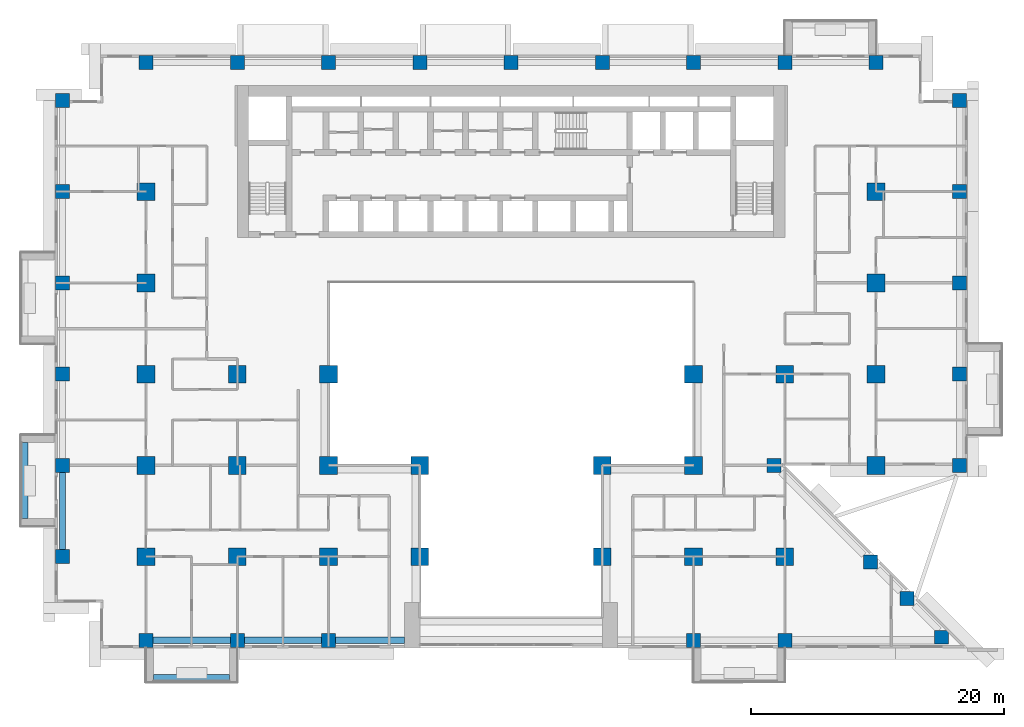
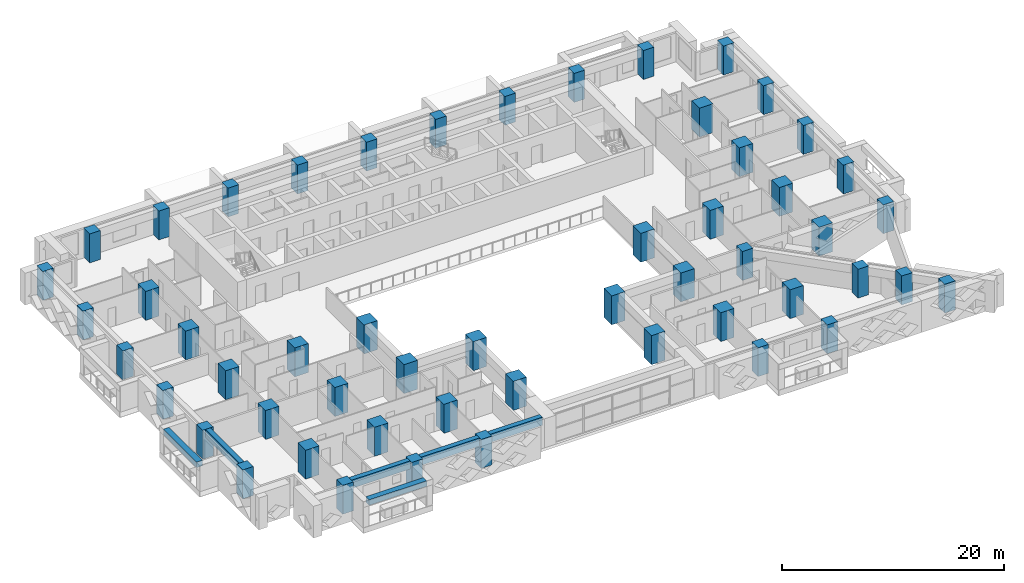
# One storey, part 1 of 16: 53 columns, 6 beams.
"""IFC4 building model written with IfcOpenShell, lengths in metres."""

from ifc_helpers import new_model, si_unit, direction, frame, origin, origin_2d, place, context, subcontext, project, spatial, rectangle, extrude, source, transform, mapped, material, material_profile, profile_set, type_object, element, save


model = new_model("IFC4")

# Units and contexts
model_context = context("Model", 3, precision=1e-05, world=origin(), true_north=direction((0.0, 1.0)))
body_context = subcontext(model_context, "Body", "Model", "MODEL_VIEW")
ifc_project = project(units=[si_unit("LENGTHUNIT", "METRE"), si_unit("AREAUNIT", "SQUARE_METRE"), si_unit("VOLUMEUNIT", "CUBIC_METRE"), si_unit("PLANEANGLEUNIT", "RADIAN"), si_unit("MASSUNIT", "GRAM", prefix="KILO")], contexts=[model_context])

# Site, building, storey
site_placement = place(None, origin())
site = spatial("IfcSite", under=ifc_project, at=site_placement, CompositionType="ELEMENT")
building_placement = place(site_placement, origin())
building = spatial("IfcBuilding", under=site, at=building_placement, Name="Saffron Iwan Residences", CompositionType="ELEMENT")
storey_placement = place(building_placement, frame((0.0, 0.0, 44.5)))
storey = spatial("IfcBuildingStorey", under=building, at=storey_placement, Name="L10", CompositionType="ELEMENT", Elevation=44.5)

# Columns
ifc_material_1 = material(Name="Concrete C60/75", Category="concrete")
ifc_material_profile_1 = material_profile(ifc_material_1, rectangle(XDim=1.10009765625, YDim=1.10009765625, at=origin_2d()), Name="RC 1100x1100")
ifc_profile_set_1 = profile_set([ifc_material_profile_1], Name="Concrete C60/75")
column_type_1 = type_object("IfcColumnType", Name="COL RC 1100x1100 C60/75 3180 HIGH", PredefinedType="COLUMN", material=ifc_profile_set_1)
shared_shape_1 = source(origin(), body_context, "Body", "SweptSolid", [
    extrude(rectangle(XDim=1.10009765625, YDim=1.10009765625, at=origin_2d()), origin(), (0.0, 0.0, 1.0), 3.179931640625),
])
for number, where, z_axis, x_axis, name in (
    (1, (21.60009765625, 34.199951171875, 0.0), (0.0, 0.0, 1.0), (1.0, 0.0, 0.0), "Column C038"),
    (2, (28.800048828125, 34.199951171875, 0.0), (0.0, 0.0, 1.0), (1.0, 0.0, 0.0), "Column C039"),
    (3, (36.0, 34.199951171875, 0.0), (0.0, 0.0, 1.0), (1.0, 0.0, 0.0), "Column C040"),
    (4, (64.800048828125, 34.199951171875, 0.0), (0.0, 0.0, 1.0), (1.0, 0.0, 0.0), "Column C041"),
    (5, (72.0, 34.199951171875, 0.0), (0.0, 0.0, 1.0), (1.0, 0.0, 0.0), "Column C042"),
    (6, (84.367431640625, 34.44189453125, 0.0), (0.0, 0.0, 1.0), (1.0, 0.0, 0.0), "Column C043"),
    (7, (81.65576171875, 37.49560546875, 0.0), (0.0, 0.0, 1.0), (1.0, 0.0, 0.0), "Column C044"),
    (8, (78.775634765625, 40.375732421875, 0.0), (0.0, 0.0, 1.0), (1.0, 0.0, 0.0), "Column C047"),
    (9, (15.0, 40.800048828125, 0.0), (0.0, 0.0, 1.0), (1.0, 0.0, 0.0), "Column C048"),
    (10, (15.0, 48.0, 0.0), (0.0, 0.0, 1.0), (1.0, 0.0, 0.0), "Column C061"),
    (11, (71.14990234375, 48.0, 0.0), (0.0, 0.0, 1.0), (1.0, 0.0, 0.0), "Column C070"),
    (12, (85.800048828125, 48.0, 0.0), (0.0, 0.0, 1.0), (1.0, 0.0, 0.0), "Column C074"),
    (13, (15.0, 55.199951171875, 0.0), (0.0, 0.0, 1.0), (1.0, 0.0, 0.0), "Column C077"),
    (14, (85.800048828125, 55.199951171875, 0.0), (0.0, 0.0, 1.0), (1.0, 0.0, 0.0), "Column C086"),
    (15, (15.0, 62.39990234375, 0.0), (0.0, 0.0, 1.0), (1.0, 0.0, 0.0), "Column C089"),
    (16, (85.800048828125, 62.39990234375, 0.0), (0.0, 0.0, 1.0), (1.0, 0.0, 0.0), "Column C094"),
    (17, (15.0, 69.60009765625, 0.0), (0.0, 0.0, 1.0), (1.0, 0.0, 0.0), "Column C097"),
    (18, (85.800048828125, 69.60009765625, 0.0), (0.0, 0.0, 1.0), (1.0, 0.0, 0.0), "Column C102"),
    (19, (15.0, 76.800048828125, 0.0), (0.0, 0.0, 1.0), (1.0, 0.0, 0.0), "Column C105"),
    (20, (85.800048828125, 76.800048828125, 0.0), (0.0, 0.0, 1.0), (1.0, 0.0, 0.0), "Column C110"),
    (21, (21.60009765625, 79.800048828125, 0.0), (0.0, 0.0, 1.0), (1.0, 0.0, 0.0), "Column C113"),
    (22, (28.800048828125, 79.800048828125, 0.0), (0.0, 0.0, 1.0), (1.0, 0.0, 0.0), "Column C115"),
    (23, (36.0, 79.800048828125, 0.0), (0.0, 0.0, 1.0), (1.0, 0.0, 0.0), "Column C116"),
    (24, (43.199951171875, 79.800048828125, 0.0), (0.0, 0.0, 1.0), (1.0, 0.0, 0.0), "Column C117"),
    (25, (50.39990234375, 79.800048828125, 0.0), (0.0, 0.0, 1.0), (1.0, 0.0, 0.0), "Column C118"),
    (26, (57.60009765625, 79.800048828125, 0.0), (0.0, 0.0, 1.0), (1.0, 0.0, 0.0), "Column C119"),
    (27, (64.800048828125, 79.800048828125, 0.0), (0.0, 0.0, 1.0), (1.0, 0.0, 0.0), "Column C120"),
    (28, (72.0, 79.800048828125, 0.0), (0.0, 0.0, 1.0), (1.0, 0.0, 0.0), "Column C121"),
    (29, (79.199951171875, 79.800048828125, 0.0), (0.0, 0.0, 1.0), (1.0, 0.0, 0.0), "Column C123"),
):
    element("IfcColumn", number, at=place(storey_placement, frame(where, z_axis=z_axis, x_axis=x_axis)), inside=storey, type_object=column_type_1, Name=name, PredefinedType="COLUMN", context=body_context, shape_type="MappedRepresentation", body=[
        mapped(shared_shape_1, transform((0.0, 0.0, 0.0))),
    ])
ifc_material_profile_2 = material_profile(ifc_material_1, rectangle(XDim=1.39990234375, YDim=1.39990234375, at=origin_2d()), Name="RC 1400x1400")
ifc_profile_set_2 = profile_set([ifc_material_profile_2], Name="Concrete C60/75")
column_type_2 = type_object("IfcColumnType", Name="COL RC 1400x1400 C60/75 3180 HIGH", PredefinedType="COLUMN", material=ifc_profile_set_2)
shared_shape_2 = source(origin(), body_context, "Body", "SweptSolid", [
    extrude(rectangle(XDim=1.39990234375, YDim=1.39990234375, at=origin_2d()), origin(), (0.0, 0.0, 1.0), 3.179931640625),
])
for number, where, z_axis, x_axis, name in (
    (30, (21.60009765625, 40.800048828125, 0.0), (0.0, 0.0, 1.0), (1.0, 0.0, 0.0), "Column C049"),
    (31, (28.800048828125, 40.800048828125, 0.0), (0.0, 0.0, 1.0), (1.0, 0.0, 0.0), "Column C051"),
    (32, (36.0, 40.800048828125, 0.0), (0.0, 0.0, 1.0), (1.0, 0.0, 0.0), "Column C052"),
    (33, (43.199951171875, 40.800048828125, 0.0), (0.0, 0.0, 1.0), (1.0, 0.0, 0.0), "Column C053"),
    (34, (57.60009765625, 40.800048828125, 0.0), (0.0, 0.0, 1.0), (1.0, 0.0, 0.0), "Column C054"),
    (35, (64.800048828125, 40.800048828125, 0.0), (0.0, 0.0, 1.0), (1.0, 0.0, 0.0), "Column C055"),
    (36, (72.0, 40.800048828125, 0.0), (0.0, 0.0, 1.0), (1.0, 0.0, 0.0), "Column C056"),
    (37, (21.60009765625, 48.0, 0.0), (0.0, 0.0, 1.0), (1.0, 0.0, 0.0), "Column C063"),
    (38, (28.800048828125, 48.0, 0.0), (0.0, 0.0, 1.0), (1.0, 0.0, 0.0), "Column C064"),
    (39, (36.0, 48.0, 0.0), (0.0, 0.0, 1.0), (1.0, 0.0, 0.0), "Column C065"),
    (40, (43.199951171875, 48.0, 0.0), (0.0, 0.0, 1.0), (1.0, 0.0, 0.0), "Column C066"),
    (41, (57.60009765625, 48.0, 0.0), (0.0, 0.0, 1.0), (1.0, 0.0, 0.0), "Column C068"),
    (42, (64.800048828125, 48.0, 0.0), (0.0, 0.0, 1.0), (1.0, 0.0, 0.0), "Column C069"),
    (43, (79.199951171875, 48.0, 0.0), (0.0, 0.0, 1.0), (1.0, 0.0, 0.0), "Column C072"),
    (44, (21.60009765625, 55.199951171875, 0.0), (0.0, 0.0, 1.0), (1.0, 0.0, 0.0), "Column C079"),
    (45, (28.800048828125, 55.199951171875, 0.0), (0.0, 0.0, 1.0), (1.0, 0.0, 0.0), "Column C080"),
    (46, (36.0, 55.199951171875, 0.0), (0.0, 0.0, 1.0), (1.0, 0.0, 0.0), "Column C081"),
    (47, (64.800048828125, 55.199951171875, 0.0), (0.0, 0.0, 1.0), (1.0, 0.0, 0.0), "Column C082"),
    (48, (72.0, 55.199951171875, 0.0), (0.0, 0.0, 1.0), (1.0, 0.0, 0.0), "Column C083"),
    (49, (79.199951171875, 55.199951171875, 0.0), (0.0, 0.0, 1.0), (1.0, 0.0, 0.0), "Column C084"),
    (50, (21.60009765625, 62.39990234375, 0.0), (0.0, 0.0, 1.0), (1.0, 0.0, 0.0), "Column C091"),
    (51, (79.199951171875, 62.39990234375, 0.0), (0.0, 0.0, 1.0), (1.0, 0.0, 0.0), "Column C092"),
    (52, (21.60009765625, 69.60009765625, 0.0), (0.0, 0.0, 1.0), (1.0, 0.0, 0.0), "Column C099"),
    (53, (79.199951171875, 69.60009765625, 0.0), (0.0, 0.0, 1.0), (1.0, 0.0, 0.0), "Column C100"),
):
    element("IfcColumn", number, at=place(storey_placement, frame(where, z_axis=z_axis, x_axis=x_axis)), inside=storey, type_object=column_type_2, Name=name, PredefinedType="COLUMN", context=body_context, shape_type="MappedRepresentation", body=[
        mapped(shared_shape_2, transform((0.0, 0.0, 0.0))),
    ])

# Beams
ifc_material_profile_3 = material_profile(ifc_material_1, rectangle(XDim=0.5, YDim=0.89990234375, at=origin_2d()), Name="RC 500x900")
ifc_profile_set_3 = profile_set([ifc_material_profile_3], Name="Concrete C60/75")
beam_type_1 = type_object("IfcBeamType", Name="SPANDREL BEAM RC 500x900 C60/75 TOP 3180", PredefinedType="SPANDREL", material=ifc_profile_set_3)
shared_shape_3 = source(origin(), body_context, "Body", "SweptSolid", [
    extrude(rectangle(XDim=0.5, YDim=0.89990234375, at=origin_2d()), origin(), (0.0, 0.0, 1.0), 6.10009765625),
])
beam_1_placement = place(storey_placement, frame((28.25, 34.199951171875, 2.72998046875), z_axis=(-1.0, 0.0, 0.0), x_axis=(0.0, -1.0, 0.0)))
element("IfcBeam", 54, at=beam_1_placement, inside=storey, type_object=beam_type_1, Name="Spandrel beam", PredefinedType="SPANDREL", context=body_context, shape_type="MappedRepresentation", body=[
    mapped(shared_shape_3, transform((0.0, 0.0, 0.0))),
])
shared_shape_4 = source(origin(), body_context, "Body", "SweptSolid", [
    extrude(rectangle(XDim=0.5, YDim=0.89990234375, at=origin_2d()), origin(), (0.0, 0.0, 1.0), 6.099853515625),
])
for number, where, z_axis, x_axis, name in (
    (55, (35.449951171875, 34.199951171875, 2.72998046875), (-1.0, 0.0, 0.0), (0.0, -1.0, 0.0), "Spandrel beam"),
    (56, (15.0, 41.35009765625, 2.72998046875), (0.0, 1.0, 0.0), (-1.0, 0.0, 0.0), "Spandrel beam"),
):
    element("IfcBeam", number, at=place(storey_placement, frame(where, z_axis=z_axis, x_axis=x_axis)), inside=storey, type_object=beam_type_1, Name=name, PredefinedType="SPANDREL", context=body_context, shape_type="MappedRepresentation", body=[
        mapped(shared_shape_4, transform((0.0, 0.0, 0.0))),
    ])
shared_shape_5 = source(origin(), body_context, "Body", "SweptSolid", [
    extrude(rectangle(XDim=0.5, YDim=0.89990234375, at=origin_2d()), origin(), (0.0, 0.0, 1.0), 5.449951171875),
])
beam_2_placement = place(storey_placement, frame((42.0, 34.199951171875, 2.72998046875), z_axis=(-1.0, 0.0, 0.0), x_axis=(0.0, -1.0, 0.0)))
element("IfcBeam", 57, at=beam_2_placement, inside=storey, type_object=beam_type_1, Name="Spandrel beam", PredefinedType="SPANDREL", context=body_context, shape_type="MappedRepresentation", body=[
    mapped(shared_shape_5, transform((0.0, 0.0, 0.0))),
])
ifc_material_2 = material(Name="Concrete C50/60 white painted", Category="concrete")
ifc_material_profile_4 = material_profile(ifc_material_2, rectangle(XDim=0.60009765625, YDim=0.60009765625, at=origin_2d()), Name="BALCONY FASCIA BEAM 600 x 600")
ifc_profile_set_4 = profile_set([ifc_material_profile_4], Name="Concrete C50/60 white painted")
beam_type_2 = type_object("IfcBeamType", Name="BALCONY FASCIA BEAM 600 x 600", PredefinedType="BEAM", material=ifc_profile_set_4)
shared_shape_6 = source(origin(), body_context, "Body", "SweptSolid", [
    extrude(rectangle(XDim=0.60009765625, YDim=0.60009765625, at=origin_2d()), origin(), (0.0, 0.0, 1.0), 6.0),
])
for number, where, z_axis, x_axis, name in (
    (58, (12.0, 49.800048828125, 2.550048828125), (0.0, -1.0, 0.0), (1.0, 0.0, 0.0), "Balcony fascia beam L10 F8-1"),
    (59, (22.199951171875, 31.199951171875, 2.550048828125), (1.0, 0.0, 0.0), (0.0, 1.0, 0.0), "Balcony fascia beam L10 11-0"),
):
    element("IfcBeam", number, at=place(storey_placement, frame(where, z_axis=z_axis, x_axis=x_axis)), inside=storey, type_object=beam_type_2, Name=name, PredefinedType="BEAM", context=body_context, shape_type="MappedRepresentation", body=[
        mapped(shared_shape_6, transform((0.0, 0.0, 0.0))),
    ])

save(model, "model.ifc")
